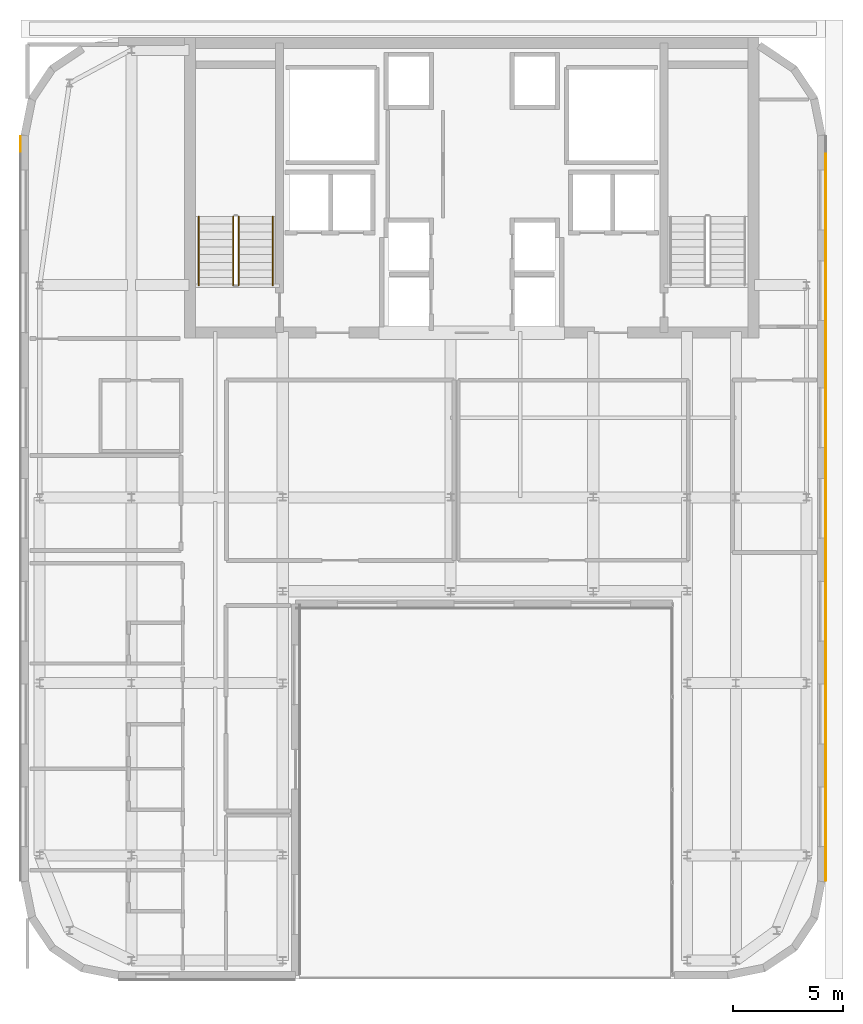
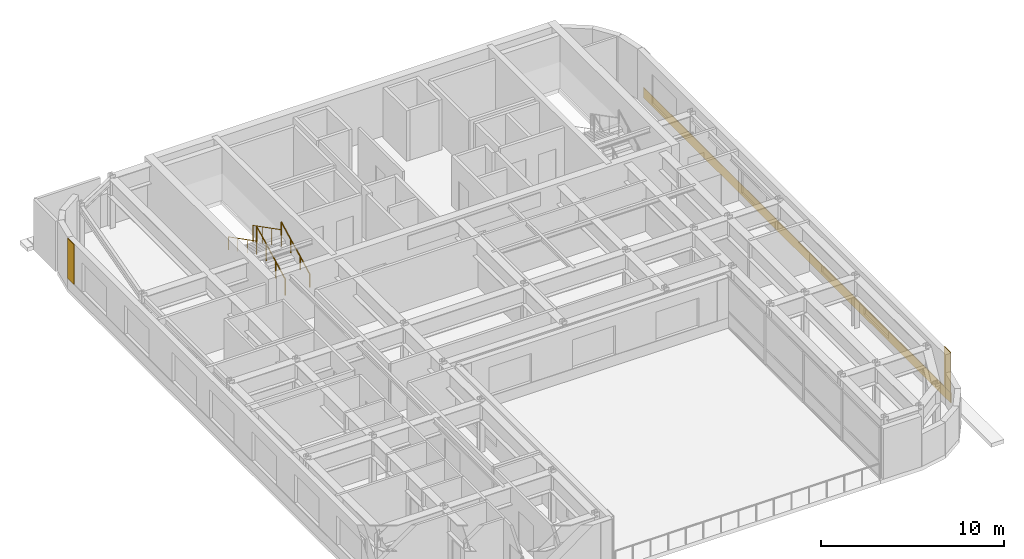
# One storey, part 14 of 16: 4 railings, 3 coverings.
"""IFC4 building model written with IfcOpenShell, lengths in metres."""

from ifc_helpers import new_model, si_unit, direction, frame, origin, origin_2d, place, context, subcontext, project, spatial, polyline, circle, outline, extrude, material, layer, layer_set, type_object, element, save


model = new_model("IFC4")

# Units and contexts
model_context = context("Model", 3, precision=1e-05, world=origin(), true_north=direction((0.0, 1.0)))
body_context = subcontext(model_context, "Body", "Model", "MODEL_VIEW")
ifc_project = project(units=[si_unit("LENGTHUNIT", "METRE"), si_unit("AREAUNIT", "SQUARE_METRE"), si_unit("VOLUMEUNIT", "CUBIC_METRE"), si_unit("PLANEANGLEUNIT", "RADIAN"), si_unit("MASSUNIT", "GRAM", prefix="KILO")], contexts=[model_context])

# Site, building, storey
site_placement = place(None, origin())
site = spatial("IfcSite", under=ifc_project, at=site_placement, CompositionType="ELEMENT")
building_placement = place(site_placement, origin())
building = spatial("IfcBuilding", under=site, at=building_placement, Name="Tolvann Quenvar Hotel", CompositionType="ELEMENT")
storey_placement = place(building_placement, frame((0.0, 0.0, 241.64990234375)))
storey = spatial("IfcBuildingStorey", under=building, at=storey_placement, Name="L64", CompositionType="ELEMENT", Elevation=241.64990234375)

# Coverings
ifc_material_1 = material(Name="Kiln-fired red architectural face brick cladding", Category="masonry")
ifc_layer_1 = layer(ifc_material_1, 0.0400390625)
ifc_layer_set_1 = layer_set([ifc_layer_1], Name="Kiln-fired red architectural face brick cladding")
covering_type_1 = type_object("IfcCoveringType", Name="COV_CLAD_BRICK_40", PredefinedType="CLADDING", material=ifc_layer_set_1)
covering_1_placement = place(storey_placement, frame((0.0, 0.0, 0.7001953125)))
element("IfcCovering", 1, at=covering_1_placement, inside=storey, type_object=covering_type_1, Name="Brick Pier Cladding (L64-E13-P1)", PredefinedType="CLADDING", context=body_context, shape_type="SweptSolid", body=[
    extrude(outline(polyline([(39.0, 7.067138671875), (39.0, 7.76708984375), (39.0400390625, 7.76708984375), (39.0400390625, 7.067138671875), (39.0, 7.067138671875)])), origin(), (0.0, 0.0, 1.0), 2.669921875),
])
covering_2_placement = place(storey_placement, frame((0.0, 0.0, 0.7001953125)))
element("IfcCovering", 2, at=covering_2_placement, inside=storey, type_object=covering_type_1, Name="Brick Pier Cladding (L64-E23-P1)", PredefinedType="CLADDING", context=body_context, shape_type="SweptSolid", body=[
    extrude(outline(polyline([(2.60009765625, 40.73291015625), (2.60009765625, 40.03271484375), (2.56005859375, 40.03271484375), (2.56005859375, 40.73291015625), (2.60009765625, 40.73291015625)])), origin(), (0.0, 0.0, 1.0), 2.669921875),
])
ifc_material_2 = material(Name="Moulded buff architectural terracotta spandrel cladding", Category="masonry")
ifc_layer_2 = layer(ifc_material_2, 0.0400390625)
ifc_layer_set_2 = layer_set([ifc_layer_2], Name="Moulded buff architectural terracotta spandrel cladding")
covering_type_2 = type_object("IfcCoveringType", Name="COV_CLAD_TERRA_40", PredefinedType="CLADDING", material=ifc_layer_set_2)
covering_3_placement = place(storey_placement, origin())
element("IfcCovering", 3, at=covering_3_placement, inside=storey, type_object=covering_type_2, Name="Terracotta Spandrel Cladding (L64-E13)", PredefinedType="CLADDING", context=body_context, shape_type="SweptSolid", body=[
    extrude(outline(polyline([(39.0, 7.05712890625), (39.0, 40.742919921875), (39.0400390625, 40.742919921875), (39.0400390625, 7.05712890625), (39.0, 7.05712890625)])), origin(), (0.0, 0.0, 1.0), 0.7001953125),
])

# Railings
ifc_material_3 = material(Name="Brushed 316 stainless steel balustrade and handrail", Category="steel")
railing_type_1 = type_object("IfcRailingType", Name="GUARDRAIL", PredefinedType="GUARDRAIL", material=ifc_material_3)
railing_1_placement = place(storey_placement, frame((12.449951171875, 34.0, 0.177490234375)))
element("IfcRailing", 4, at=railing_1_placement, inside=storey, type_object=railing_type_1, Name="L64 ST-C1 stair guard 1", PredefinedType="GUARDRAIL", context=body_context, shape_type="SweptSolid", body=[
    extrude(circle(Radius=0.02392578125, at=origin_2d()), frame((0.0, 0.0, 1.09619140625), z_axis=(0.0, 0.88919353882, 0.457531256332), x_axis=(-1.0, 0.0, 0.0)), (0.0, 0.0, 1.0), 3.491943359375),
    extrude(circle(Radius=0.02099609375, at=origin_2d()), origin(), (0.0, 0.0, 1.0), 1.072021484375),
    extrude(circle(Radius=0.02099609375, at=origin_2d()), frame((0.0, 1.034912109375, 0.532470703125)), (0.0, 0.0, 1.0), 1.072021484375),
    extrude(circle(Radius=0.02099609375, at=origin_2d()), frame((0.0, 2.070068359375, 1.065185546875)), (0.0, 0.0, 1.0), 1.072021484375),
    extrude(circle(Radius=0.02099609375, at=origin_2d()), frame((0.0, 3.10498046875, 1.59765625)), (0.0, 0.0, 1.0), 1.072021484375),
])
railing_2_placement = place(storey_placement, frame((12.199951171875, 37.10498046875, 1.95263671875)))
element("IfcRailing", 5, at=railing_2_placement, inside=storey, type_object=railing_type_1, Name="L64 ST-C1 stair guard 3", PredefinedType="GUARDRAIL", context=body_context, shape_type="SweptSolid", body=[
    extrude(circle(Radius=0.02392578125, at=origin_2d()), frame((0.0, 0.0, 1.09619140625), z_axis=(0.0, -0.889221982265, 0.45747597342), x_axis=(1.0, 0.0, 0.0)), (0.0, 0.0, 1.0), 3.49169921875),
    extrude(circle(Radius=0.02099609375, at=origin_2d()), origin(), (0.0, 0.0, 1.0), 1.072021484375),
    extrude(circle(Radius=0.02099609375, at=origin_2d()), frame((0.0, -1.034912109375, 0.532470703125)), (0.0, 0.0, 1.0), 1.072021484375),
    extrude(circle(Radius=0.02099609375, at=origin_2d()), frame((0.0, -2.070068359375, 1.06494140625)), (0.0, 0.0, 1.0), 1.072021484375),
    extrude(circle(Radius=0.02099609375, at=origin_2d()), frame((0.0, -3.10498046875, 1.597412109375)), (0.0, 0.0, 1.0), 1.072021484375),
])
railing_type_2 = type_object("IfcRailingType", Name="HANDRAIL", PredefinedType="HANDRAIL", material=ifc_material_3)
railing_3_placement = place(storey_placement, frame((14.0, 34.0, 0.177490234375)))
element("IfcRailing", 6, at=railing_3_placement, inside=storey, type_object=railing_type_2, Name="L64 ST-C1 stair handrail 1", PredefinedType="HANDRAIL", context=body_context, shape_type="SweptSolid", body=[
    extrude(circle(Radius=0.02392578125, at=origin_2d()), frame((0.0, 0.0, 0.8759765625), z_axis=(0.0, 0.88919353882, 0.457531256332), x_axis=(-1.0, 0.0, 0.0)), (0.0, 0.0, 1.0), 3.491943359375),
    extrude(circle(Radius=0.02099609375, at=origin_2d()), origin(), (0.0, 0.0, 1.0), 0.851806640625),
    extrude(circle(Radius=0.02099609375, at=origin_2d()), frame((0.0, 1.034912109375, 0.532470703125)), (0.0, 0.0, 1.0), 0.851806640625),
    extrude(circle(Radius=0.02099609375, at=origin_2d()), frame((0.0, 2.070068359375, 1.065185546875)), (0.0, 0.0, 1.0), 0.851806640625),
    extrude(circle(Radius=0.02099609375, at=origin_2d()), frame((0.0, 3.10498046875, 1.59765625)), (0.0, 0.0, 1.0), 0.851806640625),
])
railing_4_placement = place(storey_placement, frame((10.64990234375, 37.10498046875, 1.95263671875)))
element("IfcRailing", 7, at=railing_4_placement, inside=storey, type_object=railing_type_2, Name="L64 ST-C1 stair handrail 2", PredefinedType="HANDRAIL", context=body_context, shape_type="SweptSolid", body=[
    extrude(circle(Radius=0.02392578125, at=origin_2d()), frame((0.0, 0.0, 0.8759765625), z_axis=(0.0, -0.889221982265, 0.45747597342), x_axis=(1.0, 0.0, 0.0)), (0.0, 0.0, 1.0), 3.49169921875),
    extrude(circle(Radius=0.02099609375, at=origin_2d()), origin(), (0.0, 0.0, 1.0), 0.851806640625),
    extrude(circle(Radius=0.02099609375, at=origin_2d()), frame((0.0, -1.034912109375, 0.532470703125)), (0.0, 0.0, 1.0), 0.851806640625),
    extrude(circle(Radius=0.02099609375, at=origin_2d()), frame((0.0, -2.070068359375, 1.06494140625)), (0.0, 0.0, 1.0), 0.851806640625),
    extrude(circle(Radius=0.02099609375, at=origin_2d()), frame((0.0, -3.10498046875, 1.597412109375)), (0.0, 0.0, 1.0), 0.851806640625),
])

save(model, "model.ifc")
